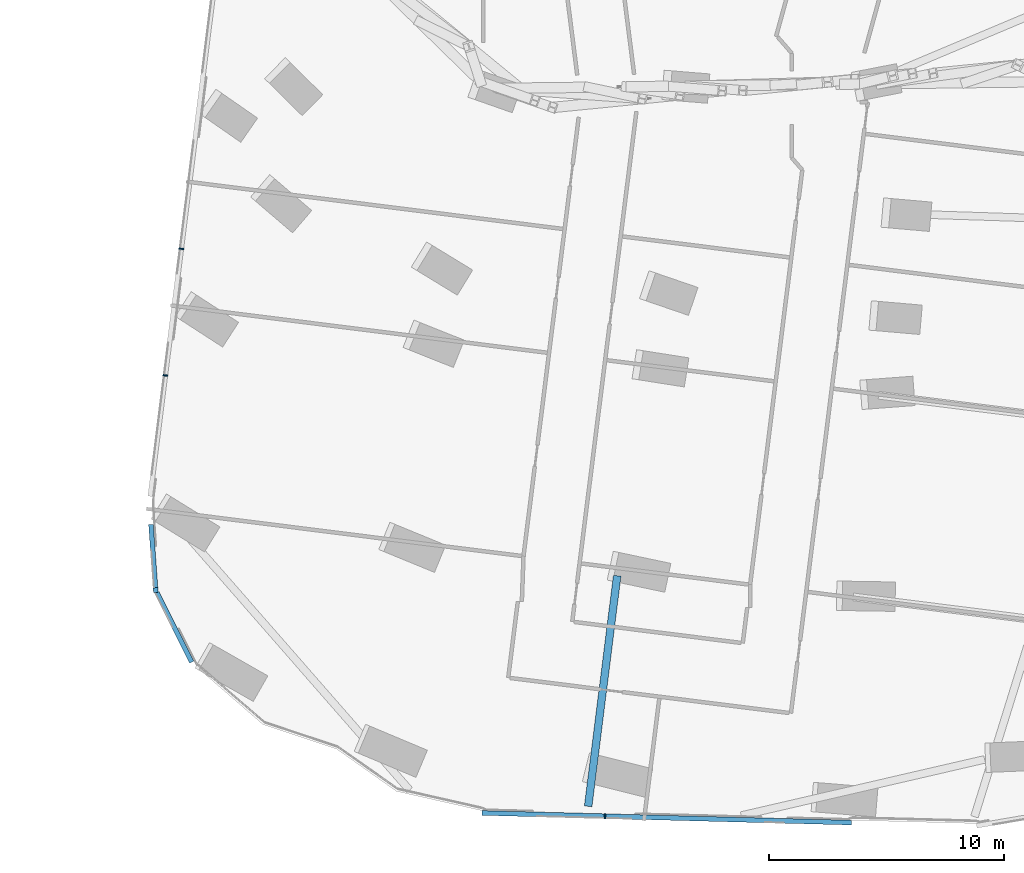
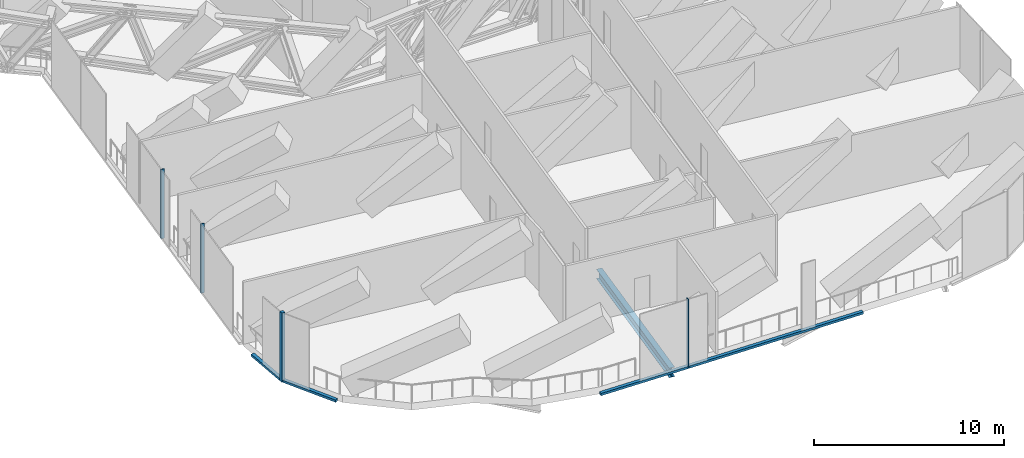
# One storey, part 2 of 27: 7 members, 1 beam, 4 elements without a shape of their own.
"""IFC4 building model written with IfcOpenShell, lengths in metres."""

from ifc_helpers import new_model, si_unit, direction, frame, origin, origin_2d, place, context, subcontext, project, spatial, rectangle, i_section, extrude, material, material_profile, profile_set, type_object, element, aggregate, save


model = new_model("IFC4")

# Units and contexts
model_context = context("Model", 3, precision=1e-05, world=origin(), true_north=direction((0.0, 1.0)))
body_context = subcontext(model_context, "Body", "Model", "MODEL_VIEW")
ifc_project = project(units=[si_unit("LENGTHUNIT", "METRE"), si_unit("AREAUNIT", "SQUARE_METRE"), si_unit("VOLUMEUNIT", "CUBIC_METRE"), si_unit("PLANEANGLEUNIT", "RADIAN"), si_unit("MASSUNIT", "GRAM", prefix="KILO")], contexts=[model_context])

# Site, building, storey
site_placement = place(None, origin())
site = spatial("IfcSite", under=ifc_project, at=site_placement, CompositionType="ELEMENT")
building_placement = place(site_placement, origin())
building = spatial("IfcBuilding", under=site, at=building_placement, Name="Orlundy Tower", CompositionType="ELEMENT")
storey_placement = place(building_placement, frame((0.0, 0.0, 206.10009765625)))
storey = spatial("IfcBuildingStorey", under=building, at=storey_placement, Name="L54", CompositionType="ELEMENT", Elevation=206.10009765625)

# Beam
ifc_material_1 = material(Name="Steel ASTM A992 Gr 50", Category="steel")
ifc_material_profile_1 = material_profile(ifc_material_1, i_section(OverallWidth=0.32373046875, OverallDepth=0.611083984375, WebThickness=0.0126953125, FlangeThickness=0.01904296875, at=origin_2d()), Name="W24X104")
ifc_profile_set_1 = profile_set([ifc_material_profile_1], Name="Steel ASTM A992 Gr 50")
beam_type = type_object("IfcBeamType", Name="CANTILEVER GIRDER beam W24X104", PredefinedType="BEAM", material=ifc_profile_set_1)
beam_placement = place(storey_placement, frame((-7.547119140625, -60.024169921875, -0.755615234375), z_axis=(0.124740996092, 0.992189338732, 0.0), x_axis=(-0.992189338732, 0.124740996092, 0.0)))
element("IfcBeam", 1, at=beam_placement, inside=storey, type_object=beam_type, Name="Cantilever girder C-B3-5 L54", PredefinedType="BEAM", context=body_context, shape_type="SweptSolid", body=[
    extrude(i_section(OverallWidth=0.32373046875, OverallDepth=0.611083984375, WebThickness=0.0126953125, FlangeThickness=0.01904296875, at=origin_2d()), origin(), (0.0, 0.0, 1.0), 9.8701171875),
])

# Curtain wall, member
ifc_material_2 = material(Name="Aluminium bronze anodised", Category="aluminium")
curtain_wall_type = type_object("IfcCurtainWallType", Name="CW4 wall", PredefinedType="NOTDEFINED", material=ifc_material_2)
curtain_wall_1_placement = place(storey_placement, origin())
curtain_wall_1 = element("IfcCurtainWall", 2, at=curtain_wall_1_placement, inside=storey, type_object=curtain_wall_type, Name="CW4 run 043", PredefinedType="NOTDEFINED")
ifc_material_3 = material(Name="Aluminium bronze anodised", Category="aluminium")
ifc_material_profile_2 = material_profile(ifc_material_3, rectangle(XDim=0.199951171875, YDim=0.199951171875, at=origin_2d()), Name="CW4 corner post 200x200")
ifc_profile_set_2 = profile_set([ifc_material_profile_2], Name="Aluminium bronze anodised")
member_type_1 = type_object("IfcMemberType", Name="CW4 corner post 200x200", PredefinedType="MULLION", material=ifc_profile_set_2)
member_1_placement = place(storey_placement, frame((-25.916259765625, -50.8388671875, -0.4501953125), z_axis=(0.0, 0.0, 1.0), x_axis=(-0.997461437469, -0.071208712685, 0.0)))
member_1 = element("IfcMember", 3, at=member_1_placement, type_object=member_type_1, Name="CW4 mullion 64", PredefinedType="MULLION", context=body_context, shape_type="SweptSolid", body=[
    extrude(rectangle(XDim=0.199951171875, YDim=0.199951171875, at=origin_2d()), origin(), (0.0, 0.0, 1.0), 4.4501953125),
])

curtain_wall_2_placement = place(storey_placement, origin())
curtain_wall_2 = element("IfcCurtainWall", 4, at=curtain_wall_2_placement, inside=storey, type_object=curtain_wall_type, Name="CW4 run 037", PredefinedType="NOTDEFINED")
ifc_material_4 = material(Name="Aluminium bronze anodised", Category="aluminium")
ifc_material_profile_3 = material_profile(ifc_material_4, rectangle(XDim=0.199951171875, YDim=0.06005859375, at=origin_2d()), Name="CW4 mullion 60x200")
ifc_profile_set_3 = profile_set([ifc_material_profile_3], Name="Aluminium bronze anodised")
member_type_2 = type_object("IfcMemberType", Name="CW4 mullion 60x200", PredefinedType="MULLION", material=ifc_profile_set_3)
member_2_placement = place(storey_placement, frame((-6.83447265625, -60.44140625, -0.4501953125), z_axis=(0.0, 0.0, 1.0), x_axis=(-0.026190222342, -0.999656977295, 0.0)))
member_2 = element("IfcMember", 5, at=member_2_placement, type_object=member_type_2, Name="CW4 mullion 58", PredefinedType="MULLION", context=body_context, shape_type="SweptSolid", body=[
    extrude(rectangle(XDim=0.199951171875, YDim=0.06005859375, at=origin_2d()), origin(), (0.0, 0.0, 1.0), 4.4501953125),
])

# Curtain wall, members
curtain_wall_3_placement = place(storey_placement, origin())
curtain_wall_3 = element("IfcCurtainWall", 6, at=curtain_wall_3_placement, inside=storey, type_object=curtain_wall_type, Name="CW4 run 044", PredefinedType="NOTDEFINED")
member_3_placement = place(storey_placement, frame((-25.5048828125, -41.72265625, -0.4501953125), z_axis=(0.0, 0.0, 1.0), x_axis=(-0.992185656723, 0.124770279283, 0.0)))
member_3 = element("IfcMember", 7, at=member_3_placement, type_object=member_type_2, Name="CW4 mullion 66", PredefinedType="MULLION", context=body_context, shape_type="SweptSolid", body=[
    extrude(rectangle(XDim=0.199951171875, YDim=0.06005859375, at=origin_2d()), origin(), (0.0, 0.0, 1.0), 4.4501953125),
])
member_4_placement = place(storey_placement, frame((-24.828369140625, -36.343994140625, -0.4501953125), z_axis=(0.0, 0.0, 1.0), x_axis=(-0.992185656723, 0.124770279283, 0.0)))
member_4 = element("IfcMember", 8, at=member_4_placement, type_object=member_type_2, Name="CW4 mullion 67", PredefinedType="MULLION", context=body_context, shape_type="SweptSolid", body=[
    extrude(rectangle(XDim=0.199951171875, YDim=0.06005859375, at=origin_2d()), origin(), (0.0, 0.0, 1.0), 4.4501953125),
])
aggregate(curtain_wall_3, [member_3, member_4])

# Member
ifc_material_5 = material(Name="Aluminium bronze anodised", Category="aluminium")
ifc_material_profile_4 = material_profile(ifc_material_5, rectangle(XDim=0.199951171875, YDim=0.14990234375, at=origin_2d()), Name="CW4 transom 200x150")
ifc_profile_set_4 = profile_set([ifc_material_profile_4], Name="Aluminium bronze anodised")
member_type_3 = type_object("IfcMemberType", Name="CW4 transom 200x150", PredefinedType="USERDEFINED", material=ifc_profile_set_4)
member_5_placement = place(storey_placement, frame((3.632080078125, -60.715576171875, -0.375), z_axis=(-0.999657054633, 0.026187270238, 0.0), x_axis=(-0.026187270238, -0.999657054633, 0.0)))
member_5 = element("IfcMember", 9, at=member_5_placement, type_object=member_type_3, Name="CW4 transom", ObjectType="TRANSOM", PredefinedType="USERDEFINED", context=body_context, shape_type="SweptSolid", body=[
    extrude(rectangle(XDim=0.199951171875, YDim=0.14990234375, at=origin_2d()), origin(), (0.0, 0.0, 1.0), 15.69970703125),
])

aggregate(curtain_wall_2, [member_2, member_5])

# Curtain wall, member
curtain_wall_4_placement = place(storey_placement, origin())
curtain_wall_4 = element("IfcCurtainWall", 10, at=curtain_wall_4_placement, inside=storey, type_object=curtain_wall_type, Name="CW4 run 042", PredefinedType="NOTDEFINED")
member_6_placement = place(storey_placement, frame((-24.385009765625, -53.89794921875, -0.375), z_axis=(-0.447655742763, 0.894205980729, 0.0), x_axis=(-0.894205980729, -0.447655742763, 0.0)))
member_6 = element("IfcMember", 11, at=member_6_placement, type_object=member_type_3, Name="CW4 transom", ObjectType="TRANSOM", PredefinedType="USERDEFINED", context=body_context, shape_type="SweptSolid", body=[
    extrude(rectangle(XDim=0.199951171875, YDim=0.14990234375, at=origin_2d()), origin(), (0.0, 0.0, 1.0), 3.3125),
])
aggregate(curtain_wall_4, [member_6])

# Member
member_7_placement = place(storey_placement, frame((-25.92333984375, -50.7392578125, -0.375), z_axis=(-0.071279273438, 0.997456397633, 0.0), x_axis=(-0.997456397633, -0.071279273438, 0.0)))
member_7 = element("IfcMember", 12, at=member_7_placement, type_object=member_type_3, Name="CW4 transom", ObjectType="TRANSOM", PredefinedType="USERDEFINED", context=body_context, shape_type="SweptSolid", body=[
    extrude(rectangle(XDim=0.199951171875, YDim=0.14990234375, at=origin_2d()), origin(), (0.0, 0.0, 1.0), 2.692138671875),
])

aggregate(curtain_wall_1, [member_1, member_7])

save(model, "model.ifc")
